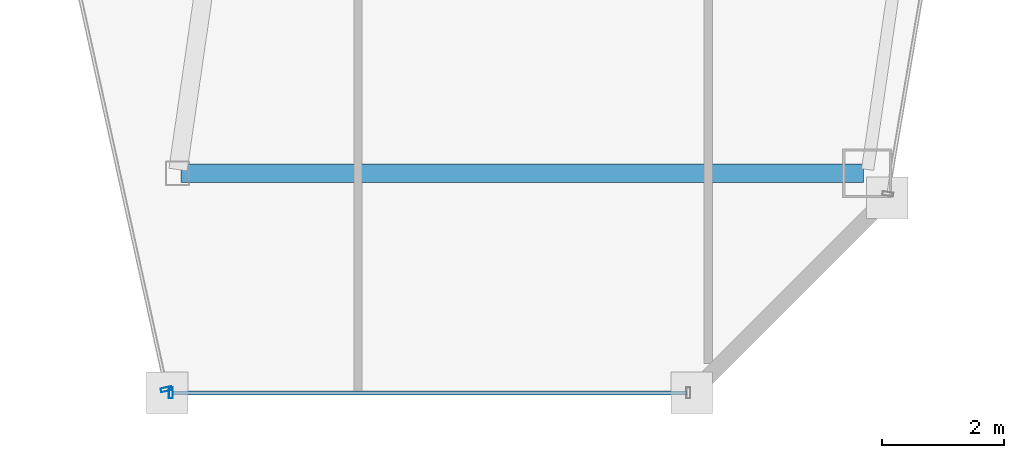
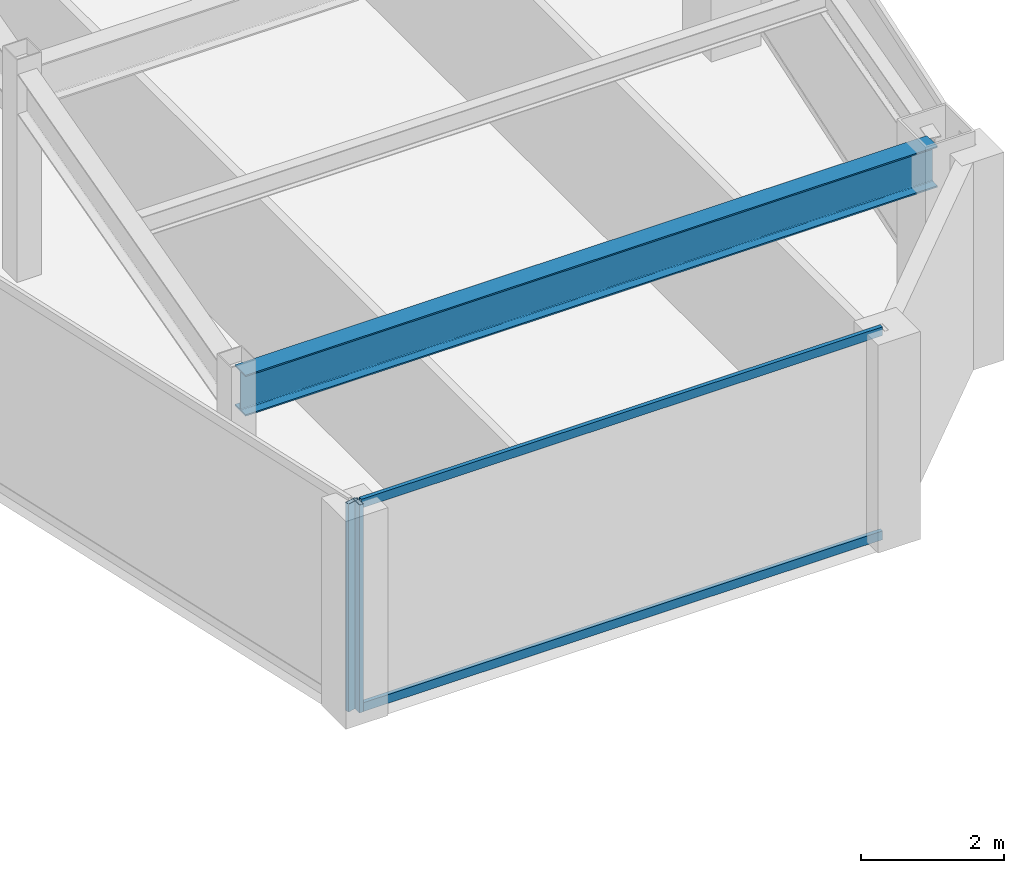
# One storey, part 16 of 36: 4 members, 1 beam, 2 elements without a shape of their own.
"""IFC4 building model written with IfcOpenShell, lengths in metres."""

import ifcopenshell
import ifcopenshell.guid

model = None  # the IFC model being written
_history = None  # IfcOwnerHistory: only IFC2X3 demands one
_inside = {}  # id of a spatial element -> (the spatial element, [elements in it])
_under = {}  # id of a project, library or spatial element -> (it, [spatial elements below it])
_declared = {}  # id of a project -> (the project, [libraries it declares])
_typed = {}  # id of a type object -> (the type object, [elements of that type])
_made_of = {}  # id of a material, layer set ... -> (it, [elements and type objects made of it])


def new_model(schema):
    """Start an empty IFC model of exactly this schema.

    Asked for "IFC4X3", IfcOpenShell would pick the latest addendum, in which some entities
    have other attributes; the version numbers below select the first issue.
    IFC2X3 requires an IfcOwnerHistory on every rooted entity: one is made here for all.
    """
    global model, _history
    if schema == "IFC4X3":
        model = ifcopenshell.file(schema_version=(4, 3, 0, 0))
    else:
        model = ifcopenshell.file(schema=schema)
    _inside.clear()
    _under.clear()
    _declared.clear()
    _typed.clear()
    _made_of.clear()
    _history = None
    if model.schema == "IFC2X3":
        org = make("IfcOrganization", Name="unknown")
        user = make(
            "IfcPersonAndOrganization",
            ThePerson=make("IfcPerson", FamilyName="unknown"),
            TheOrganization=org,
        )
        app = make(
            "IfcApplication",
            ApplicationDeveloper=org,
            Version="unknown",
            ApplicationFullName="unknown",
            ApplicationIdentifier="unknown",
        )
        _history = make(
            "IfcOwnerHistory",
            OwningUser=user,
            OwningApplication=app,
            ChangeAction="ADDED",
            CreationDate=0,
        )
    return model


def make(cls, **values):
    """One entity of the class cls with the attributes given. An attribute that is None is left unset."""
    return model.create_entity(
        cls, **{name: value for name, value in values.items() if value is not None}
    )


def rooted(cls, **values):
    """An entity with a GlobalId (a new one), such as an element, a storey or a relation."""
    return make(cls, GlobalId=ifcopenshell.guid.new(), OwnerHistory=_history, **values)


def si_unit(unit_type, name, prefix=None):
    """IfcSIUnit, for example si_unit("LENGTHUNIT", "METRE", prefix="MILLI")."""
    return make("IfcSIUnit", UnitType=unit_type, Prefix=prefix, Name=name)


def assignment(units):
    """IfcUnitAssignment: the units of a project."""
    return None if units is None else make("IfcUnitAssignment", Units=units)


def point(xyz):
    """IfcCartesianPoint."""
    return None if xyz is None else make("IfcCartesianPoint", Coordinates=xyz)


def direction(xyz):
    """IfcDirection."""
    return None if xyz is None else make("IfcDirection", DirectionRatios=xyz)


def frame(location, z_axis=None, x_axis=None):
    """IfcAxis2Placement3D, a coordinate frame: its origin and axes. An axis left out is left unset."""
    return make(
        "IfcAxis2Placement3D",
        Location=point(location),
        Axis=direction(z_axis),
        RefDirection=direction(x_axis),
    )


def frame_2d(location, x_axis=None):
    """IfcAxis2Placement2D, a coordinate frame in the plane: its origin and x axis."""
    return make(
        "IfcAxis2Placement2D", Location=point(location), RefDirection=direction(x_axis)
    )


def origin():
    """The frame at (0, 0, 0) with its axes left unset."""
    return frame((0.0, 0.0, 0.0))


def origin_2d():
    """The frame at (0, 0) in the plane with its x axis left unset."""
    return frame_2d((0.0, 0.0))


def place(relative_to, where):
    """IfcLocalPlacement: puts the frame where relative to a parent placement (None: the world)."""
    return make(
        "IfcLocalPlacement", PlacementRelTo=relative_to, RelativePlacement=where
    )


def context(
    kind, dimensions, precision=None, world=None, true_north=None, identifier=None
):
    """IfcGeometricRepresentationContext, for example the 3D "Model" context."""
    return make(
        "IfcGeometricRepresentationContext",
        ContextIdentifier=identifier,
        ContextType=kind,
        CoordinateSpaceDimension=dimensions,
        Precision=precision,
        WorldCoordinateSystem=world,
        TrueNorth=true_north,
    )


def subcontext(parent, identifier, kind, view, scale=None):
    """IfcGeometricRepresentationSubContext, for example "Body" below "Model"."""
    return make(
        "IfcGeometricRepresentationSubContext",
        ContextIdentifier=identifier,
        ContextType=kind,
        ParentContext=parent,
        TargetScale=scale,
        TargetView=view,
    )


def project(units=None, contexts=None):
    """IfcProject with its units and contexts."""
    return rooted(
        "IfcProject",
        Name="project",
        RepresentationContexts=contexts,
        UnitsInContext=assignment(units),
    )


def spatial(cls, under=None, at=None, **own):
    """A site, building, storey or space (cls), placed at a placement, below another one or the project."""
    s = rooted(cls, ObjectPlacement=at, **own)
    if under is not None:
        _under.setdefault(under.id(), (under, []))[1].append(s)
    return s


def profile(cls, at=None, kind="AREA", **sizes):
    """A parametric profile (cls). Its sizes go by their IFC names, for example OverallWidth=200.0."""
    return make(cls, ProfileType=kind, Position=at, **sizes)


def hollow_rectangle(**sizes):
    """IfcRectangleHollowProfileDef."""
    return profile("IfcRectangleHollowProfileDef", **sizes)


def i_section(**sizes):
    """IfcIShapeProfileDef."""
    return profile("IfcIShapeProfileDef", **sizes)


def extrude(swept, where, along, depth):
    """IfcExtrudedAreaSolid: the profile swept, set in the frame where, extruded along a direction by depth."""
    return make(
        "IfcExtrudedAreaSolid",
        SweptArea=swept,
        Position=where,
        ExtrudedDirection=direction(along),
        Depth=depth,
    )


def shape(context_of_items, identifier, shape_type, items):
    """IfcShapeRepresentation: the items that make up one representation, for example the "Body"."""
    return make(
        "IfcShapeRepresentation",
        ContextOfItems=context_of_items,
        RepresentationIdentifier=identifier,
        RepresentationType=shape_type,
        Items=items,
    )


def material(Name=None, Category=None):
    """IfcMaterial."""
    return make("IfcMaterial", Name=Name, Category=Category)


def material_profile(
    of_material, cross_section, Name=None, Category=None, Priority=None
):
    """IfcMaterialProfile: a cross section and its material."""
    return make(
        "IfcMaterialProfile",
        Name=Name,
        Material=of_material,
        Profile=cross_section,
        Priority=Priority,
        Category=Category,
    )


def profile_set(profiles, Name=None, composite=None):
    """IfcMaterialProfileSet."""
    return make(
        "IfcMaterialProfileSet",
        Name=Name,
        MaterialProfiles=profiles,
        CompositeProfile=composite,
    )


def made_of(thing, what):
    """Note that an element or type object is made of a material, layer set ...; save() writes the relation."""
    if what is not None:
        _made_of.setdefault(what.id(), (what, []))[1].append(thing)
    return thing


def type_object(cls, material=None, **own):
    """A type object (cls), such as IfcWallType, which elements share."""
    return made_of(rooted(cls, **own), material)


def element(
    cls,
    number,
    at=None,
    inside=None,
    cuts=None,
    type_object=None,
    material=None,
    context=None,
    identifier="Body",
    shape_type=None,
    held_by="IfcProductDefinitionShape",
    body=None,
    shapes=None,
    **own,
):
    """One element of the class cls, such as IfcWall. Its Tag is "e" and its number.

    at: its placement. inside: the storey or other place that contains it. cuts: it is an
    opening in that element (IfcRelVoidsElement). A single representation is given by context,
    identifier, shape_type and body (its items); several are given by shapes. held_by: the class
    of the entity that holds the representations. save() writes the other relations.
    """
    e = rooted(cls, Tag="e%d" % number, ObjectPlacement=at, **own)
    if body is not None:
        shapes = [shape(context, identifier, shape_type, body)]
    if shapes is not None:
        e.Representation = make(held_by, Representations=shapes)
    if inside is not None:
        _inside.setdefault(inside.id(), (inside, []))[1].append(e)
    if cuts is not None:
        rooted(
            "IfcRelVoidsElement", RelatingBuildingElement=cuts, RelatedOpeningElement=e
        )
    if type_object is not None:
        _typed.setdefault(type_object.id(), (type_object, []))[1].append(e)
    return made_of(e, material)


def aggregate(whole, parts):
    """IfcRelAggregates: a whole, such as a stair, and the parts it consists of."""
    return rooted("IfcRelAggregates", RelatingObject=whole, RelatedObjects=parts)


def save(model, path):
    """Write the relations noted so far, then the file.

    IfcRelAggregates (storeys below a building ...), IfcRelContainedInSpatialStructure (elements
    in a storey), IfcRelDefinesByType, IfcRelAssociatesMaterial and IfcRelDeclares: one each for
    every whole, place, type object, material and project.
    """
    for whole, parts in _under.values():
        aggregate(whole, parts)
    for where, things in _inside.values():
        rooted(
            "IfcRelContainedInSpatialStructure",
            RelatedElements=things,
            RelatingStructure=where,
        )
    for kind, things in _typed.values():
        rooted("IfcRelDefinesByType", RelatedObjects=things, RelatingType=kind)
    for what, things in _made_of.values():
        rooted("IfcRelAssociatesMaterial", RelatedObjects=things, RelatingMaterial=what)
    for by, libraries in _declared.values():
        rooted("IfcRelDeclares", RelatingContext=by, RelatedDefinitions=libraries)
    model.write(path)


model = new_model("IFC4")

# Units and contexts
model_context = context("Model", 3, precision=1e-05, world=origin(), true_north=direction((0.0, 1.0)))
body_context = subcontext(model_context, "Body", "Model", "MODEL_VIEW")
ifc_project = project(units=[si_unit("LENGTHUNIT", "METRE"), si_unit("AREAUNIT", "SQUARE_METRE"), si_unit("VOLUMEUNIT", "CUBIC_METRE"), si_unit("PLANEANGLEUNIT", "RADIAN"), si_unit("MASSUNIT", "GRAM", prefix="KILO")], contexts=[model_context])

# Site, building, storey
site_placement = place(None, origin())
site = spatial("IfcSite", under=ifc_project, at=site_placement, CompositionType="ELEMENT")
building_placement = place(site_placement, origin())
building = spatial("IfcBuilding", under=site, at=building_placement, Name="Saevonmaru Cultural Tower", CompositionType="ELEMENT")
storey_placement = place(building_placement, frame((0.0, 0.0, 182.800048828125)))
storey = spatial("IfcBuildingStorey", under=building, at=storey_placement, Name="L41", CompositionType="ELEMENT", Elevation=182.800048828125)

# Beam
ifc_material_1 = material(Name="Steel SM355", Category="steel")
ifc_material_profile_1 = material_profile(ifc_material_1, i_section(OverallWidth=0.300048828125, OverallDepth=0.699951171875, WebThickness=0.012939453125, FlangeThickness=0.02392578125, FilletRadius=0.02587890625, at=origin_2d()), Name="H-700x300x13x24")
ifc_profile_set_1 = profile_set([ifc_material_profile_1], Name="Steel SM355")
beam_type = type_object("IfcBeamType", Name="BM-G-H700", PredefinedType="BEAM", material=ifc_profile_set_1)
beam_placement = place(storey_placement, frame((38.132080078125, 16.0, 3.199951171875), z_axis=(1.0, 0.0, 0.0), x_axis=(0.0, 1.0, 0.0)))
element("IfcBeam", 1, at=beam_placement, inside=storey, type_object=beam_type, Name="L41 East Wing Transverse Girder 1", PredefinedType="BEAM", context=body_context, shape_type="SweptSolid", body=[
    extrude(i_section(OverallWidth=0.300048828125, OverallDepth=0.699951171875, WebThickness=0.012939453125, FlangeThickness=0.02392578125, FilletRadius=0.02587890625, at=origin_2d()), origin(), (0.0, 0.0, 1.0), 11.179931640625),
])

# Curtain wall, member
ifc_material_2 = material(Name="Satin Bronze Anodised Aluminium", Category="aluminium")
curtain_wall_type = type_object("IfcCurtainWallType", Name="CW-TYP-B", PredefinedType="NOTDEFINED", material=ifc_material_2)
curtain_wall_1_placement = place(storey_placement, origin())
curtain_wall_1 = element("IfcCurtainWall", 2, at=curtain_wall_1_placement, inside=storey, type_object=curtain_wall_type, Name="L41 Unitised Curtain Wall E5", PredefinedType="NOTDEFINED")
ifc_material_profile_2 = material_profile(ifc_material_2, hollow_rectangle(XDim=0.06494140625, YDim=0.179931640625, WallThickness=0.00390625, at=origin_2d()), Name="ALU-MULL-180x65x4")
ifc_profile_set_2 = profile_set([ifc_material_profile_2], Name="Satin Bronze Anodised Aluminium")
member_type_1 = type_object("IfcMemberType", Name="ML-CW-180x65", PredefinedType="MULLION", material=ifc_profile_set_2)
member_1_placement = place(storey_placement, frame((37.889404296875, 12.45849609375, 0.0), z_axis=(0.0, 0.0, 1.0), x_axis=(0.215413319953, -0.976522965212, 0.0)))
member_1 = element("IfcMember", 3, at=member_1_placement, type_object=member_type_1, Name="CW-TW-L41-E5 mullion 2", PredefinedType="MULLION", context=body_context, shape_type="SweptSolid", body=[
    extrude(hollow_rectangle(XDim=0.06494140625, YDim=0.179931640625, WallThickness=0.00390625, at=origin_2d()), origin(), (0.0, 0.0, 1.0), 3.550048828125),
])
aggregate(curtain_wall_1, [member_1])

# Curtain wall, members
curtain_wall_2_placement = place(storey_placement, origin())
curtain_wall_2 = element("IfcCurtainWall", 4, at=curtain_wall_2_placement, inside=storey, type_object=curtain_wall_type, Name="L41 Unitised Curtain Wall E6", PredefinedType="NOTDEFINED")
member_2_placement = place(storey_placement, frame((37.962158203125, 12.39990234375, 0.0), z_axis=(0.0, 0.0, 1.0), x_axis=(1.0, 0.0, 0.0)))
member_2 = element("IfcMember", 5, at=member_2_placement, type_object=member_type_1, Name="CW-TW-L41-E6 mullion 1", PredefinedType="MULLION", context=body_context, shape_type="SweptSolid", body=[
    extrude(hollow_rectangle(XDim=0.06494140625, YDim=0.179931640625, WallThickness=0.00390625, at=origin_2d()), origin(), (0.0, 0.0, 1.0), 3.550048828125),
])
ifc_material_profile_3 = material_profile(ifc_material_2, hollow_rectangle(XDim=0.06494140625, YDim=0.14990234375, WallThickness=0.00390625, at=origin_2d()), Name="ALU-TRAN-150x65x4")
ifc_profile_set_3 = profile_set([ifc_material_profile_3], Name="Satin Bronze Anodised Aluminium")
member_type_2 = type_object("IfcMemberType", Name="TR-CW-150x65", PredefinedType="USERDEFINED", material=ifc_profile_set_3)
member_3_placement = place(storey_placement, frame((37.99462890625, 12.39990234375, 0.032470703125), z_axis=(1.0, 0.0, 0.0), x_axis=(0.0, 1.0, 0.0)))
member_3 = element("IfcMember", 6, at=member_3_placement, type_object=member_type_2, Name="CW-TW-L41-E6 transom 1.1", ObjectType="TRANSOM", PredefinedType="USERDEFINED", context=body_context, shape_type="SweptSolid", body=[
    extrude(hollow_rectangle(XDim=0.06494140625, YDim=0.14990234375, WallThickness=0.00390625, at=origin_2d()), origin(), (0.0, 0.0, 1.0), 8.4150390625),
])
member_4_placement = place(storey_placement, frame((37.99462890625, 12.39990234375, 3.517333984375), z_axis=(1.0, 0.0, 0.0), x_axis=(0.0, 1.0, 0.0)))
member_4 = element("IfcMember", 7, at=member_4_placement, type_object=member_type_2, Name="CW-TW-L41-E6 transom 1.2", ObjectType="TRANSOM", PredefinedType="USERDEFINED", context=body_context, shape_type="SweptSolid", body=[
    extrude(hollow_rectangle(XDim=0.06494140625, YDim=0.14990234375, WallThickness=0.00390625, at=origin_2d()), origin(), (0.0, 0.0, 1.0), 8.4150390625),
])
aggregate(curtain_wall_2, [member_2, member_3, member_4])

save(model, "model.ifc")
